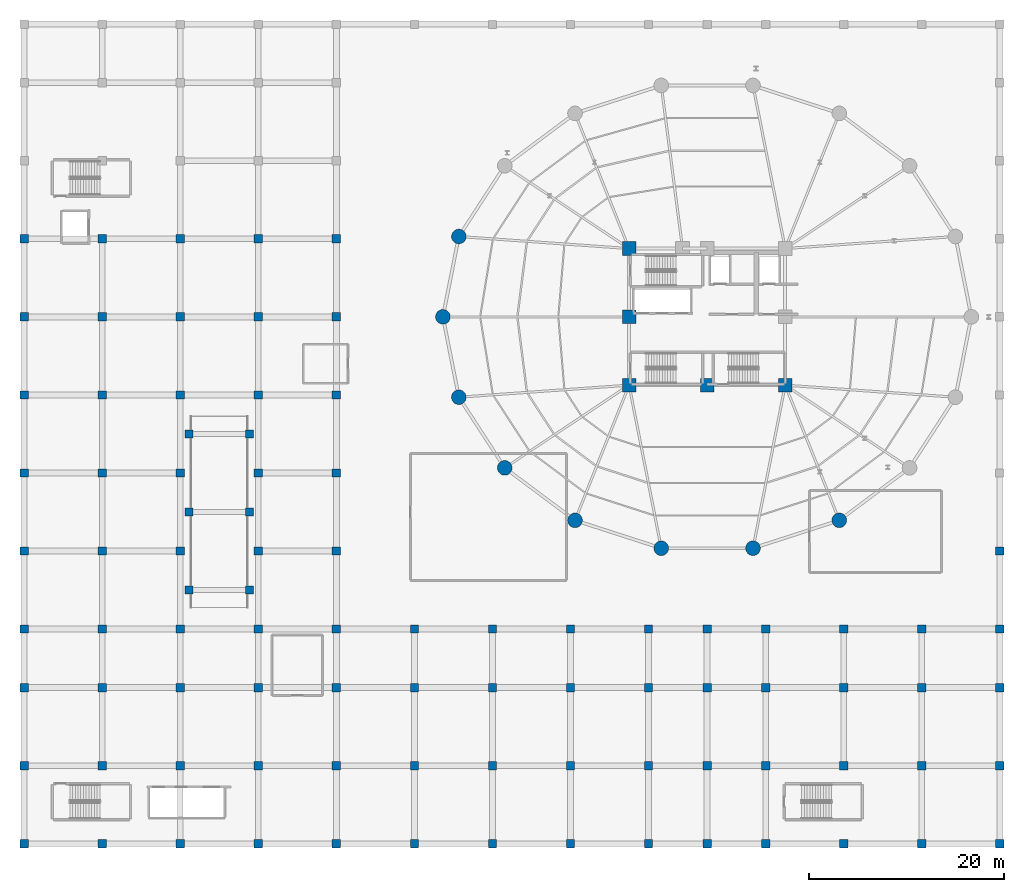
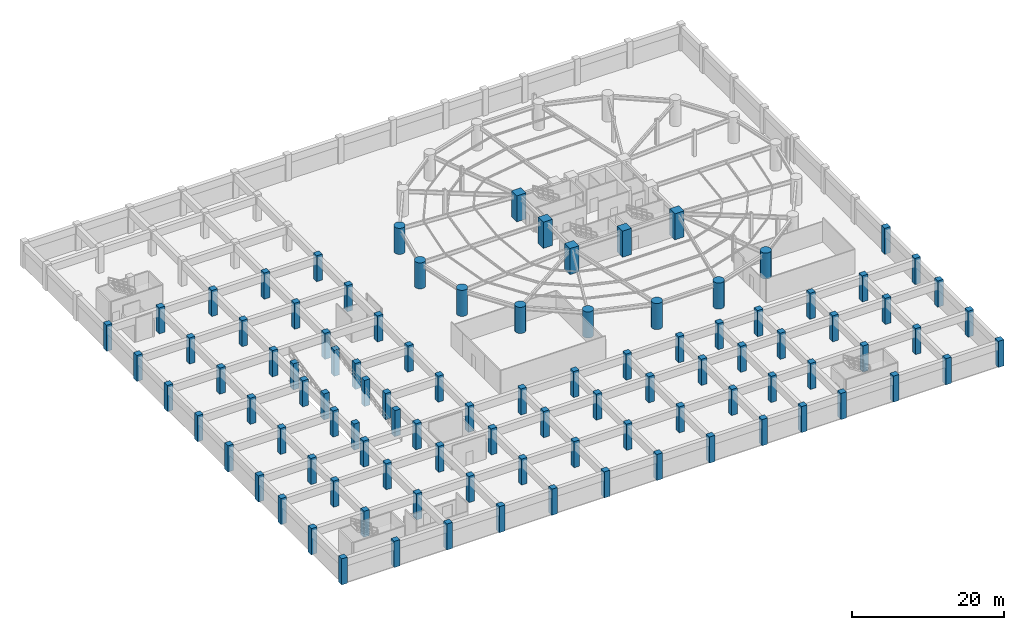
# One storey, part 1 of 20: 101 columns.
"""IFC4 building model written with IfcOpenShell, lengths in metres."""

import ifcopenshell
import ifcopenshell.guid

model = None  # the IFC model being written
_history = None  # IfcOwnerHistory: only IFC2X3 demands one
_inside = {}  # id of a spatial element -> (the spatial element, [elements in it])
_under = {}  # id of a project, library or spatial element -> (it, [spatial elements below it])
_declared = {}  # id of a project -> (the project, [libraries it declares])
_typed = {}  # id of a type object -> (the type object, [elements of that type])
_made_of = {}  # id of a material, layer set ... -> (it, [elements and type objects made of it])


def new_model(schema):
    """Start an empty IFC model of exactly this schema.

    Asked for "IFC4X3", IfcOpenShell would pick the latest addendum, in which some entities
    have other attributes; the version numbers below select the first issue.
    IFC2X3 requires an IfcOwnerHistory on every rooted entity: one is made here for all.
    """
    global model, _history
    if schema == "IFC4X3":
        model = ifcopenshell.file(schema_version=(4, 3, 0, 0))
    else:
        model = ifcopenshell.file(schema=schema)
    _inside.clear()
    _under.clear()
    _declared.clear()
    _typed.clear()
    _made_of.clear()
    _history = None
    if model.schema == "IFC2X3":
        org = make("IfcOrganization", Name="unknown")
        user = make(
            "IfcPersonAndOrganization",
            ThePerson=make("IfcPerson", FamilyName="unknown"),
            TheOrganization=org,
        )
        app = make(
            "IfcApplication",
            ApplicationDeveloper=org,
            Version="unknown",
            ApplicationFullName="unknown",
            ApplicationIdentifier="unknown",
        )
        _history = make(
            "IfcOwnerHistory",
            OwningUser=user,
            OwningApplication=app,
            ChangeAction="ADDED",
            CreationDate=0,
        )
    return model


def make(cls, **values):
    """One entity of the class cls with the attributes given. An attribute that is None is left unset."""
    return model.create_entity(
        cls, **{name: value for name, value in values.items() if value is not None}
    )


def rooted(cls, **values):
    """An entity with a GlobalId (a new one), such as an element, a storey or a relation."""
    return make(cls, GlobalId=ifcopenshell.guid.new(), OwnerHistory=_history, **values)


def si_unit(unit_type, name, prefix=None):
    """IfcSIUnit, for example si_unit("LENGTHUNIT", "METRE", prefix="MILLI")."""
    return make("IfcSIUnit", UnitType=unit_type, Prefix=prefix, Name=name)


def assignment(units):
    """IfcUnitAssignment: the units of a project."""
    return None if units is None else make("IfcUnitAssignment", Units=units)


def point(xyz):
    """IfcCartesianPoint."""
    return None if xyz is None else make("IfcCartesianPoint", Coordinates=xyz)


def direction(xyz):
    """IfcDirection."""
    return None if xyz is None else make("IfcDirection", DirectionRatios=xyz)


def frame(location, z_axis=None, x_axis=None):
    """IfcAxis2Placement3D, a coordinate frame: its origin and axes. An axis left out is left unset."""
    return make(
        "IfcAxis2Placement3D",
        Location=point(location),
        Axis=direction(z_axis),
        RefDirection=direction(x_axis),
    )


def frame_2d(location, x_axis=None):
    """IfcAxis2Placement2D, a coordinate frame in the plane: its origin and x axis."""
    return make(
        "IfcAxis2Placement2D", Location=point(location), RefDirection=direction(x_axis)
    )


def origin():
    """The frame at (0, 0, 0) with its axes left unset."""
    return frame((0.0, 0.0, 0.0))


def origin_2d():
    """The frame at (0, 0) in the plane with its x axis left unset."""
    return frame_2d((0.0, 0.0))


def place(relative_to, where):
    """IfcLocalPlacement: puts the frame where relative to a parent placement (None: the world)."""
    return make(
        "IfcLocalPlacement", PlacementRelTo=relative_to, RelativePlacement=where
    )


def context(
    kind, dimensions, precision=None, world=None, true_north=None, identifier=None
):
    """IfcGeometricRepresentationContext, for example the 3D "Model" context."""
    return make(
        "IfcGeometricRepresentationContext",
        ContextIdentifier=identifier,
        ContextType=kind,
        CoordinateSpaceDimension=dimensions,
        Precision=precision,
        WorldCoordinateSystem=world,
        TrueNorth=true_north,
    )


def subcontext(parent, identifier, kind, view, scale=None):
    """IfcGeometricRepresentationSubContext, for example "Body" below "Model"."""
    return make(
        "IfcGeometricRepresentationSubContext",
        ContextIdentifier=identifier,
        ContextType=kind,
        ParentContext=parent,
        TargetScale=scale,
        TargetView=view,
    )


def project(units=None, contexts=None):
    """IfcProject with its units and contexts."""
    return rooted(
        "IfcProject",
        Name="project",
        RepresentationContexts=contexts,
        UnitsInContext=assignment(units),
    )


def spatial(cls, under=None, at=None, **own):
    """A site, building, storey or space (cls), placed at a placement, below another one or the project."""
    s = rooted(cls, ObjectPlacement=at, **own)
    if under is not None:
        _under.setdefault(under.id(), (under, []))[1].append(s)
    return s


def profile(cls, at=None, kind="AREA", **sizes):
    """A parametric profile (cls). Its sizes go by their IFC names, for example OverallWidth=200.0."""
    return make(cls, ProfileType=kind, Position=at, **sizes)


def rectangle(**sizes):
    """IfcRectangleProfileDef."""
    return profile("IfcRectangleProfileDef", **sizes)


def circle(**sizes):
    """IfcCircleProfileDef."""
    return profile("IfcCircleProfileDef", **sizes)


def extrude(swept, where, along, depth):
    """IfcExtrudedAreaSolid: the profile swept, set in the frame where, extruded along a direction by depth."""
    return make(
        "IfcExtrudedAreaSolid",
        SweptArea=swept,
        Position=where,
        ExtrudedDirection=direction(along),
        Depth=depth,
    )


def shape(context_of_items, identifier, shape_type, items):
    """IfcShapeRepresentation: the items that make up one representation, for example the "Body"."""
    return make(
        "IfcShapeRepresentation",
        ContextOfItems=context_of_items,
        RepresentationIdentifier=identifier,
        RepresentationType=shape_type,
        Items=items,
    )


def material(Name=None, Category=None):
    """IfcMaterial."""
    return make("IfcMaterial", Name=Name, Category=Category)


def material_profile(
    of_material, cross_section, Name=None, Category=None, Priority=None
):
    """IfcMaterialProfile: a cross section and its material."""
    return make(
        "IfcMaterialProfile",
        Name=Name,
        Material=of_material,
        Profile=cross_section,
        Priority=Priority,
        Category=Category,
    )


def profile_set(profiles, Name=None, composite=None):
    """IfcMaterialProfileSet."""
    return make(
        "IfcMaterialProfileSet",
        Name=Name,
        MaterialProfiles=profiles,
        CompositeProfile=composite,
    )


def made_of(thing, what):
    """Note that an element or type object is made of a material, layer set ...; save() writes the relation."""
    if what is not None:
        _made_of.setdefault(what.id(), (what, []))[1].append(thing)
    return thing


def type_object(cls, material=None, **own):
    """A type object (cls), such as IfcWallType, which elements share."""
    return made_of(rooted(cls, **own), material)


def element(
    cls,
    number,
    at=None,
    inside=None,
    cuts=None,
    type_object=None,
    material=None,
    context=None,
    identifier="Body",
    shape_type=None,
    held_by="IfcProductDefinitionShape",
    body=None,
    shapes=None,
    **own,
):
    """One element of the class cls, such as IfcWall. Its Tag is "e" and its number.

    at: its placement. inside: the storey or other place that contains it. cuts: it is an
    opening in that element (IfcRelVoidsElement). A single representation is given by context,
    identifier, shape_type and body (its items); several are given by shapes. held_by: the class
    of the entity that holds the representations. save() writes the other relations.
    """
    e = rooted(cls, Tag="e%d" % number, ObjectPlacement=at, **own)
    if body is not None:
        shapes = [shape(context, identifier, shape_type, body)]
    if shapes is not None:
        e.Representation = make(held_by, Representations=shapes)
    if inside is not None:
        _inside.setdefault(inside.id(), (inside, []))[1].append(e)
    if cuts is not None:
        rooted(
            "IfcRelVoidsElement", RelatingBuildingElement=cuts, RelatedOpeningElement=e
        )
    if type_object is not None:
        _typed.setdefault(type_object.id(), (type_object, []))[1].append(e)
    return made_of(e, material)


def aggregate(whole, parts):
    """IfcRelAggregates: a whole, such as a stair, and the parts it consists of."""
    return rooted("IfcRelAggregates", RelatingObject=whole, RelatedObjects=parts)


def save(model, path):
    """Write the relations noted so far, then the file.

    IfcRelAggregates (storeys below a building ...), IfcRelContainedInSpatialStructure (elements
    in a storey), IfcRelDefinesByType, IfcRelAssociatesMaterial and IfcRelDeclares: one each for
    every whole, place, type object, material and project.
    """
    for whole, parts in _under.values():
        aggregate(whole, parts)
    for where, things in _inside.values():
        rooted(
            "IfcRelContainedInSpatialStructure",
            RelatedElements=things,
            RelatingStructure=where,
        )
    for kind, things in _typed.values():
        rooted("IfcRelDefinesByType", RelatedObjects=things, RelatingType=kind)
    for what, things in _made_of.values():
        rooted("IfcRelAssociatesMaterial", RelatedObjects=things, RelatingMaterial=what)
    for by, libraries in _declared.values():
        rooted("IfcRelDeclares", RelatingContext=by, RelatedDefinitions=libraries)
    model.write(path)


model = new_model("IFC4")

# Units and contexts
model_context = context("Model", 3, precision=1e-05, world=origin(), true_north=direction((0.0, 1.0)))
body_context = subcontext(model_context, "Body", "Model", "MODEL_VIEW")
ifc_project = project(units=[si_unit("LENGTHUNIT", "METRE"), si_unit("AREAUNIT", "SQUARE_METRE"), si_unit("VOLUMEUNIT", "CUBIC_METRE"), si_unit("PLANEANGLEUNIT", "RADIAN"), si_unit("MASSUNIT", "GRAM", prefix="KILO")], contexts=[model_context])

# Site, building, storey
site_placement = place(None, origin())
site = spatial("IfcSite", under=ifc_project, at=site_placement, CompositionType="ELEMENT")
building_placement = place(site_placement, origin())
building = spatial("IfcBuilding", under=site, at=building_placement, Name="Kelanora Arch Commons", CompositionType="ELEMENT")
storey_placement = place(building_placement, frame((0.0, 0.0, -4.199951171875)))
storey = spatial("IfcBuildingStorey", under=building, at=storey_placement, Name="B01", CompositionType="ELEMENT", Elevation=-4.199951171875)

# Columns
ifc_material_1 = material(Name="Concrete C50/60", Category="concrete")
ifc_material_profile_1 = material_profile(ifc_material_1, rectangle(XDim=0.85009765625, YDim=0.85009765625, at=origin_2d()), Name="RC850x850")
ifc_profile_set_1 = profile_set([ifc_material_profile_1], Name="Concrete C50/60")
column_type_1 = type_object("IfcColumnType", Name="COL-BSMT", PredefinedType="COLUMN", material=ifc_profile_set_1)
for number, where, z_axis, x_axis, name in (
    (1, (4.0, 4.0, 0.0), (0.0, 0.0, 1.0), (1.0, 0.0, 0.0), "Basement Column 1-A B01"),
    (2, (4.0, 12.0, 0.0), (0.0, 0.0, 1.0), (1.0, 0.0, 0.0), "Basement Column 1-B B01"),
    (3, (4.0, 20.0, 0.0), (0.0, 0.0, 1.0), (1.0, 0.0, 0.0), "Basement Column 1-C B01"),
    (4, (4.0, 26.0, 0.0), (0.0, 0.0, 1.0), (1.0, 0.0, 0.0), "Basement Column 1-D B01"),
    (5, (4.0, 34.0, 0.0), (0.0, 0.0, 1.0), (1.0, 0.0, 0.0), "Basement Column 1-E B01"),
    (6, (4.0, 42.0, 0.0), (0.0, 0.0, 1.0), (1.0, 0.0, 0.0), "Basement Column 1-F B01"),
    (7, (4.0, 50.0, 0.0), (0.0, 0.0, 1.0), (1.0, 0.0, 0.0), "Basement Column 1-G B01"),
    (8, (4.0, 58.0, 0.0), (0.0, 0.0, 1.0), (1.0, 0.0, 0.0), "Basement Column 1-H B01"),
    (9, (4.0, 66.0, 0.0), (0.0, 0.0, 1.0), (1.0, 0.0, 0.0), "Basement Column 1-J B01"),
    (10, (12.0, 4.0, 0.0), (0.0, 0.0, 1.0), (1.0, 0.0, 0.0), "Basement Column 2-A B01"),
    (11, (12.0, 12.0, 0.0), (0.0, 0.0, 1.0), (1.0, 0.0, 0.0), "Basement Column 2-B B01"),
    (12, (12.0, 20.0, 0.0), (0.0, 0.0, 1.0), (1.0, 0.0, 0.0), "Basement Column 2-C B01"),
    (13, (12.0, 26.0, 0.0), (0.0, 0.0, 1.0), (1.0, 0.0, 0.0), "Basement Column 2-D B01"),
    (14, (12.0, 34.0, 0.0), (0.0, 0.0, 1.0), (1.0, 0.0, 0.0), "Basement Column 2-E B01"),
    (15, (12.0, 42.0, 0.0), (0.0, 0.0, 1.0), (1.0, 0.0, 0.0), "Basement Column 2-F B01"),
    (16, (12.0, 50.0, 0.0), (0.0, 0.0, 1.0), (1.0, 0.0, 0.0), "Basement Column 2-G B01"),
    (17, (12.0, 58.0, 0.0), (0.0, 0.0, 1.0), (1.0, 0.0, 0.0), "Basement Column 2-H B01"),
    (18, (12.0, 66.0, 0.0), (0.0, 0.0, 1.0), (1.0, 0.0, 0.0), "Basement Column 2-J B01"),
    (19, (20.0, 4.0, 0.0), (0.0, 0.0, 1.0), (1.0, 0.0, 0.0), "Basement Column 3-A B01"),
    (20, (20.0, 12.0, 0.0), (0.0, 0.0, 1.0), (1.0, 0.0, 0.0), "Basement Column 3-B B01"),
    (21, (20.0, 20.0, 0.0), (0.0, 0.0, 1.0), (1.0, 0.0, 0.0), "Basement Column 3-C B01"),
    (22, (20.0, 26.0, 0.0), (0.0, 0.0, 1.0), (1.0, 0.0, 0.0), "Basement Column 3-D B01"),
    (23, (20.0, 34.0, 0.0), (0.0, 0.0, 1.0), (1.0, 0.0, 0.0), "Basement Column 3-E B01"),
    (24, (20.0, 42.0, 0.0), (0.0, 0.0, 1.0), (1.0, 0.0, 0.0), "Basement Column 3-F B01"),
    (25, (20.0, 50.0, 0.0), (0.0, 0.0, 1.0), (1.0, 0.0, 0.0), "Basement Column 3-G B01"),
    (26, (20.0, 58.0, 0.0), (0.0, 0.0, 1.0), (1.0, 0.0, 0.0), "Basement Column 3-H B01"),
    (27, (20.0, 66.0, 0.0), (0.0, 0.0, 1.0), (1.0, 0.0, 0.0), "Basement Column 3-J B01"),
    (28, (28.0, 4.0, 0.0), (0.0, 0.0, 1.0), (1.0, 0.0, 0.0), "Basement Column 4-A B01"),
    (29, (28.0, 12.0, 0.0), (0.0, 0.0, 1.0), (1.0, 0.0, 0.0), "Basement Column 4-B B01"),
    (30, (28.0, 20.0, 0.0), (0.0, 0.0, 1.0), (1.0, 0.0, 0.0), "Basement Column 4-C B01"),
    (31, (28.0, 26.0, 0.0), (0.0, 0.0, 1.0), (1.0, 0.0, 0.0), "Basement Column 4-D B01"),
    (32, (28.0, 34.0, 0.0), (0.0, 0.0, 1.0), (1.0, 0.0, 0.0), "Basement Column 4-E B01"),
    (33, (28.0, 42.0, 0.0), (0.0, 0.0, 1.0), (1.0, 0.0, 0.0), "Basement Column 4-F B01"),
    (34, (28.0, 50.0, 0.0), (0.0, 0.0, 1.0), (1.0, 0.0, 0.0), "Basement Column 4-G B01"),
    (35, (28.0, 58.0, 0.0), (0.0, 0.0, 1.0), (1.0, 0.0, 0.0), "Basement Column 4-H B01"),
    (36, (28.0, 66.0, 0.0), (0.0, 0.0, 1.0), (1.0, 0.0, 0.0), "Basement Column 4-J B01"),
    (37, (36.0, 4.0, 0.0), (0.0, 0.0, 1.0), (1.0, 0.0, 0.0), "Basement Column 5-A B01"),
    (38, (36.0, 12.0, 0.0), (0.0, 0.0, 1.0), (1.0, 0.0, 0.0), "Basement Column 5-B B01"),
    (39, (36.0, 20.0, 0.0), (0.0, 0.0, 1.0), (1.0, 0.0, 0.0), "Basement Column 5-C B01"),
    (40, (36.0, 26.0, 0.0), (0.0, 0.0, 1.0), (1.0, 0.0, 0.0), "Basement Column 5-D B01"),
    (41, (36.0, 34.0, 0.0), (0.0, 0.0, 1.0), (1.0, 0.0, 0.0), "Basement Column 5-E B01"),
    (42, (36.0, 42.0, 0.0), (0.0, 0.0, 1.0), (1.0, 0.0, 0.0), "Basement Column 5-F B01"),
    (43, (36.0, 50.0, 0.0), (0.0, 0.0, 1.0), (1.0, 0.0, 0.0), "Basement Column 5-G B01"),
    (44, (36.0, 58.0, 0.0), (0.0, 0.0, 1.0), (1.0, 0.0, 0.0), "Basement Column 5-H B01"),
    (45, (36.0, 66.0, 0.0), (0.0, 0.0, 1.0), (1.0, 0.0, 0.0), "Basement Column 5-J B01"),
    (46, (44.0, 4.0, 0.0), (0.0, 0.0, 1.0), (1.0, 0.0, 0.0), "Basement Column 6-A B01"),
    (47, (44.0, 12.0, 0.0), (0.0, 0.0, 1.0), (1.0, 0.0, 0.0), "Basement Column 6-B B01"),
    (48, (44.0, 20.0, 0.0), (0.0, 0.0, 1.0), (1.0, 0.0, 0.0), "Basement Column 6-C B01"),
    (49, (44.0, 26.0, 0.0), (0.0, 0.0, 1.0), (1.0, 0.0, 0.0), "Basement Column 6-D B01"),
    (50, (52.0, 4.0, 0.0), (0.0, 0.0, 1.0), (1.0, 0.0, 0.0), "Basement Column 7-A B01"),
    (51, (52.0, 12.0, 0.0), (0.0, 0.0, 1.0), (1.0, 0.0, 0.0), "Basement Column 7-B B01"),
    (52, (52.0, 20.0, 0.0), (0.0, 0.0, 1.0), (1.0, 0.0, 0.0), "Basement Column 7-C B01"),
    (53, (52.0, 26.0, 0.0), (0.0, 0.0, 1.0), (1.0, 0.0, 0.0), "Basement Column 7-D B01"),
    (54, (60.0, 4.0, 0.0), (0.0, 0.0, 1.0), (1.0, 0.0, 0.0), "Basement Column 8-A B01"),
    (55, (60.0, 12.0, 0.0), (0.0, 0.0, 1.0), (1.0, 0.0, 0.0), "Basement Column 8-B B01"),
    (56, (60.0, 20.0, 0.0), (0.0, 0.0, 1.0), (1.0, 0.0, 0.0), "Basement Column 8-C B01"),
    (57, (60.0, 26.0, 0.0), (0.0, 0.0, 1.0), (1.0, 0.0, 0.0), "Basement Column 8-D B01"),
    (58, (68.0, 4.0, 0.0), (0.0, 0.0, 1.0), (1.0, 0.0, 0.0), "Basement Column 9-A B01"),
    (59, (68.0, 12.0, 0.0), (0.0, 0.0, 1.0), (1.0, 0.0, 0.0), "Basement Column 9-B B01"),
    (60, (68.0, 20.0, 0.0), (0.0, 0.0, 1.0), (1.0, 0.0, 0.0), "Basement Column 9-C B01"),
    (61, (68.0, 26.0, 0.0), (0.0, 0.0, 1.0), (1.0, 0.0, 0.0), "Basement Column 9-D B01"),
    (62, (74.0, 4.0, 0.0), (0.0, 0.0, 1.0), (1.0, 0.0, 0.0), "Basement Column 10-A B01"),
    (63, (74.0, 12.0, 0.0), (0.0, 0.0, 1.0), (1.0, 0.0, 0.0), "Basement Column 10-B B01"),
    (64, (74.0, 20.0, 0.0), (0.0, 0.0, 1.0), (1.0, 0.0, 0.0), "Basement Column 10-C B01"),
    (65, (74.0, 26.0, 0.0), (0.0, 0.0, 1.0), (1.0, 0.0, 0.0), "Basement Column 10-D B01"),
    (66, (80.0, 4.0, 0.0), (0.0, 0.0, 1.0), (1.0, 0.0, 0.0), "Basement Column 11-A B01"),
    (67, (80.0, 12.0, 0.0), (0.0, 0.0, 1.0), (1.0, 0.0, 0.0), "Basement Column 11-B B01"),
    (68, (80.0, 20.0, 0.0), (0.0, 0.0, 1.0), (1.0, 0.0, 0.0), "Basement Column 11-C B01"),
    (69, (80.0, 26.0, 0.0), (0.0, 0.0, 1.0), (1.0, 0.0, 0.0), "Basement Column 11-D B01"),
    (70, (88.0, 4.0, 0.0), (0.0, 0.0, 1.0), (1.0, 0.0, 0.0), "Basement Column 12-A B01"),
    (71, (88.0, 12.0, 0.0), (0.0, 0.0, 1.0), (1.0, 0.0, 0.0), "Basement Column 12-B B01"),
    (72, (88.0, 20.0, 0.0), (0.0, 0.0, 1.0), (1.0, 0.0, 0.0), "Basement Column 12-C B01"),
    (73, (88.0, 26.0, 0.0), (0.0, 0.0, 1.0), (1.0, 0.0, 0.0), "Basement Column 12-D B01"),
    (74, (96.0, 4.0, 0.0), (0.0, 0.0, 1.0), (1.0, 0.0, 0.0), "Basement Column 13-A B01"),
    (75, (96.0, 12.0, 0.0), (0.0, 0.0, 1.0), (1.0, 0.0, 0.0), "Basement Column 13-B B01"),
    (76, (96.0, 20.0, 0.0), (0.0, 0.0, 1.0), (1.0, 0.0, 0.0), "Basement Column 13-C B01"),
    (77, (96.0, 26.0, 0.0), (0.0, 0.0, 1.0), (1.0, 0.0, 0.0), "Basement Column 13-D B01"),
    (78, (104.0, 4.0, 0.0), (0.0, 0.0, 1.0), (1.0, 0.0, 0.0), "Basement Column 14-A B01"),
    (79, (104.0, 12.0, 0.0), (0.0, 0.0, 1.0), (1.0, 0.0, 0.0), "Basement Column 14-B B01"),
    (80, (104.0, 20.0, 0.0), (0.0, 0.0, 1.0), (1.0, 0.0, 0.0), "Basement Column 14-C B01"),
    (81, (104.0, 26.0, 0.0), (0.0, 0.0, 1.0), (1.0, 0.0, 0.0), "Basement Column 14-D B01"),
    (82, (104.0, 34.0, 0.0), (0.0, 0.0, 1.0), (1.0, 0.0, 0.0), "Basement Column 14-E B01"),
    (83, (20.89990234375, 46.0, 0.0), (0.0, 0.0, 1.0), (1.0, 0.0, 0.0), "Vehicle Ramp Support Column NW B01"),
    (84, (27.10009765625, 46.0, 0.0), (0.0, 0.0, 1.0), (1.0, 0.0, 0.0), "Vehicle Ramp Support Column NE B01"),
    (85, (20.89990234375, 38.0, 0.0), (0.0, 0.0, 1.0), (1.0, 0.0, 0.0), "Vehicle Ramp Support Column MW B01"),
    (86, (27.10009765625, 38.0, 0.0), (0.0, 0.0, 1.0), (1.0, 0.0, 0.0), "Vehicle Ramp Support Column ME B01"),
    (87, (20.89990234375, 30.0, 0.0), (0.0, 0.0, 1.0), (1.0, 0.0, 0.0), "Vehicle Ramp Support Column SW B01"),
    (88, (27.10009765625, 30.0, 0.0), (0.0, 0.0, 1.0), (1.0, 0.0, 0.0), "Vehicle Ramp Support Column SE B01"),
):
    element("IfcColumn", number, at=place(storey_placement, frame(where, z_axis=z_axis, x_axis=x_axis)), inside=storey, type_object=column_type_1, Name=name, PredefinedType="COLUMN", context=body_context, shape_type="SweptSolid", body=[
        extrude(rectangle(XDim=0.85009765625, YDim=0.85009765625, at=origin_2d()), origin(), (0.0, 0.0, 1.0), 4.199951171875),
    ])
ifc_material_2 = material(Name="Concrete C60/75", Category="concrete")
ifc_material_profile_2 = material_profile(ifc_material_2, circle(Radius=0.75, at=origin_2d()), Name="RCC1500")
ifc_profile_set_2 = profile_set([ifc_material_profile_2], Name="Concrete C60/75")
column_type_2 = type_object("IfcColumnType", Name="COL-PERIM-Z1", PredefinedType="COLUMN", material=ifc_profile_set_2)
for number, where, z_axis, x_axis, name in (
    (89, (48.552978515625, 66.23583984375, 0.0), (0.0, 0.0, 1.0), (1.0, 0.0, 0.0), "Perimeter Ring Column CP-16 B01"),
    (90, (46.919921875, 58.0, 0.0), (0.0, 0.0, 1.0), (1.0, 0.0, 0.0), "Perimeter Ring Column CP-18 B01"),
    (91, (48.552978515625, 49.76416015625, 0.0), (0.0, 0.0, 1.0), (1.0, 0.0, 0.0), "Perimeter Ring Column CP-20 B01"),
    (92, (53.255615234375, 42.521728515625, 0.0), (0.0, 0.0, 1.0), (1.0, 0.0, 0.0), "Perimeter Ring Column CP-22 B01"),
    (93, (60.4599609375, 37.14599609375, 0.0), (0.0, 0.0, 1.0), (1.0, 0.0, 0.0), "Perimeter Ring Column CP-24 B01"),
    (94, (69.297607421875, 34.285888671875, 0.0), (0.0, 0.0, 1.0), (1.0, 0.0, 0.0), "Perimeter Ring Column CP-26 B01"),
    (95, (78.702392578125, 34.285888671875, 0.0), (0.0, 0.0, 1.0), (1.0, 0.0, 0.0), "Perimeter Ring Column CP-28 B01"),
    (96, (87.5400390625, 37.14599609375, 0.0), (0.0, 0.0, 1.0), (1.0, 0.0, 0.0), "Perimeter Ring Column CP-30 B01"),
):
    element("IfcColumn", number, at=place(storey_placement, frame(where, z_axis=z_axis, x_axis=x_axis)), inside=storey, type_object=column_type_2, Name=name, PredefinedType="COLUMN", context=body_context, shape_type="SweptSolid", body=[
        extrude(circle(Radius=0.75, at=origin_2d()), origin(), (0.0, 0.0, 1.0), 4.199951171875),
    ])
ifc_material_profile_3 = material_profile(ifc_material_2, rectangle(XDim=1.39990234375, YDim=1.39990234375, at=origin_2d()), Name="RC1400x1400")
ifc_profile_set_3 = profile_set([ifc_material_profile_3], Name="Concrete C60/75")
column_type_3 = type_object("IfcColumnType", Name="COL-PIL-LOW", PredefinedType="PILASTER", material=ifc_profile_set_3)
for number, where, z_axis, x_axis, name in (
    (97, (66.0, 51.0, 0.0), (0.0, 0.0, 1.0), (1.0, 0.0, 0.0), "Core Pilaster Column CP1 B01"),
    (98, (74.0, 51.0, 0.0), (0.0, 0.0, 1.0), (1.0, 0.0, 0.0), "Core Pilaster Column CP2 B01"),
    (99, (82.0, 51.0, 0.0), (0.0, 0.0, 1.0), (1.0, 0.0, 0.0), "Core Pilaster Column CP3 B01"),
    (100, (66.0, 65.0, 0.0), (0.0, 0.0, 1.0), (1.0, 0.0, 0.0), "Core Pilaster Column CP7 B01"),
    (101, (66.0, 58.0, 0.0), (0.0, 0.0, 1.0), (1.0, 0.0, 0.0), "Core Pilaster Column CP8 B01"),
):
    element("IfcColumn", number, at=place(storey_placement, frame(where, z_axis=z_axis, x_axis=x_axis)), inside=storey, type_object=column_type_3, Name=name, PredefinedType="PILASTER", context=body_context, shape_type="SweptSolid", body=[
        extrude(rectangle(XDim=1.39990234375, YDim=1.39990234375, at=origin_2d()), origin(), (0.0, 0.0, 1.0), 4.199951171875),
    ])

save(model, "model.ifc")
